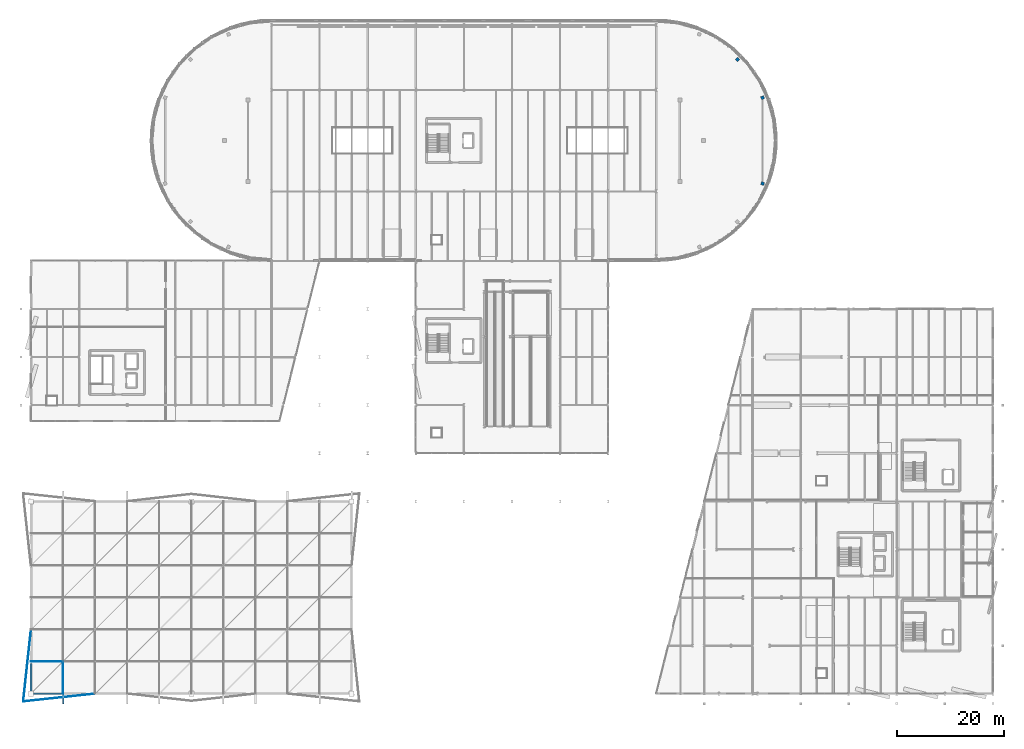
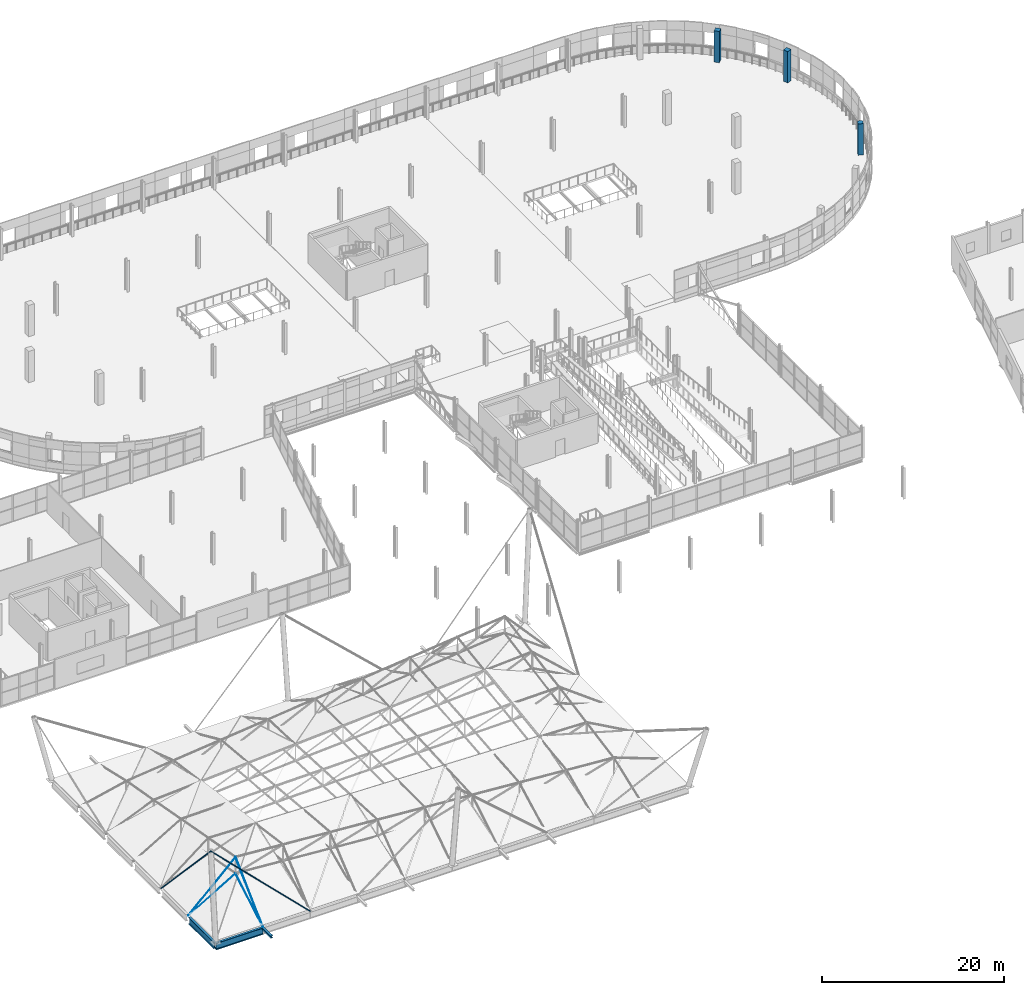
# One storey, part 19 of 132: 6 members, 3 beams, 3 columns.
"""IFC4 building model written with IfcOpenShell, lengths in metres."""

from ifc_helpers import new_model, si_unit, direction, frame, origin, origin_2d, place, context, subcontext, project, spatial, rectangle, circle, i_section, extrude, material, material_profile, profile_set, type_object, element, save


model = new_model("IFC4")

# Units and contexts
model_context = context("Model", 3, precision=1e-05, world=origin(), true_north=direction((0.0, 1.0)))
body_context = subcontext(model_context, "Body", "Model", "MODEL_VIEW")
ifc_project = project(units=[si_unit("LENGTHUNIT", "METRE"), si_unit("AREAUNIT", "SQUARE_METRE"), si_unit("VOLUMEUNIT", "CUBIC_METRE"), si_unit("PLANEANGLEUNIT", "RADIAN"), si_unit("MASSUNIT", "GRAM", prefix="KILO")], contexts=[model_context])

# Site, building, storey
site_placement = place(None, origin())
site = spatial("IfcSite", under=ifc_project, at=site_placement, CompositionType="ELEMENT")
building_placement = place(site_placement, origin())
building = spatial("IfcBuilding", under=site, at=building_placement, Name="Deido Ridge Mobility Hub", CompositionType="ELEMENT")
storey_placement = place(building_placement, frame((0.0, 0.0, 8.39990234375)))
storey = spatial("IfcBuildingStorey", under=building, at=storey_placement, Name="L02", CompositionType="ELEMENT", Elevation=8.39990234375)

# Columns
ifc_material_1 = material(Name="Concrete C40/50", Category="concrete")
ifc_material_profile_1 = material_profile(ifc_material_1, rectangle(XDim=0.60009765625, YDim=0.60009765625, at=origin_2d()), Name="RC COL 600x600")
ifc_profile_set_1 = profile_set([ifc_material_profile_1], Name="Concrete C40/50")
column_type = type_object("IfcColumnType", Name="COL-RC600", PredefinedType="COLUMN", material=ifc_profile_set_1)
for number, where, z_axis, x_axis, name in (
    (1, (136.88818359375, 95.464599609375, 0.0), (0.0, 0.0, 1.0), (0.927183854567, -0.374606593416, 0.0), "Structural column RC2"),
    (2, (136.88818359375, 111.535400390625, 0.0), (0.0, 0.0, 1.0), (0.927183854567, 0.374606593416, 0.0), "Structural column RC2"),
    (3, (132.16748046875, 118.66748046875, 0.0), (0.0, 0.0, 1.0), (0.707106781187, 0.707106781187, 0.0), "Structural column RC2"),
):
    element("IfcColumn", number, at=place(storey_placement, frame(where, z_axis=z_axis, x_axis=x_axis)), inside=storey, type_object=column_type, Name=name, PredefinedType="COLUMN", context=body_context, shape_type="SweptSolid", body=[
        extrude(rectangle(XDim=0.60009765625, YDim=0.60009765625, at=origin_2d()), origin(), (0.0, 0.0, 1.0), 4.2001953125),
    ])

# Beams
ifc_material_2 = material(Name="Steel S355J2 EN 10025-2", Category="steel")
ifc_material_profile_2 = material_profile(ifc_material_2, i_section(OverallWidth=0.300048828125, OverallDepth=0.89990234375, WebThickness=0.0185546875, FlangeThickness=0.034912109375, FilletRadius=0.027099609375, at=origin_2d()), Name="HEB 900")
ifc_profile_set_2 = profile_set([ifc_material_profile_2], Name="Steel S355J2 EN 10025-2")
beam_type_1 = type_object("IfcBeamType", Name="BM-RING-HEB900", PredefinedType="USERDEFINED", material=ifc_profile_set_2)
beam_1_placement = place(storey_placement, frame((0.014892578125, 0.0, -0.449951171875), z_axis=(1.0, 0.0, 0.0), x_axis=(0.0, 1.0, 0.0)))
element("IfcBeam", 4, at=beam_1_placement, inside=storey, type_object=beam_type_1, Name="Compression ring beam RB1", ObjectType="RING BEAM", PredefinedType="USERDEFINED", context=body_context, shape_type="SweptSolid", body=[
    extrude(i_section(OverallWidth=0.300048828125, OverallDepth=0.89990234375, WebThickness=0.0185546875, FlangeThickness=0.034912109375, FilletRadius=0.027099609375, at=origin_2d()), origin(), (0.0, 0.0, 1.0), 5.97705078125),
])
beam_2_placement = place(storey_placement, frame((0.0, 0.199951171875, -0.449951171875), z_axis=(0.0, 1.0, 0.0), x_axis=(-1.0, 0.0, 0.0)))
element("IfcBeam", 5, at=beam_2_placement, inside=storey, type_object=beam_type_1, Name="Compression ring beam RB1", ObjectType="RING BEAM", PredefinedType="USERDEFINED", context=body_context, shape_type="SweptSolid", body=[
    extrude(i_section(OverallWidth=0.300048828125, OverallDepth=0.89990234375, WebThickness=0.0185546875, FlangeThickness=0.034912109375, FilletRadius=0.027099609375, at=origin_2d()), origin(), (0.0, 0.0, 1.0), 5.5),
])

# Members
ifc_material_3 = material(Name="Steel S460M EN 10025-4", Category="steel")
ifc_material_profile_3 = material_profile(ifc_material_3, circle(Radius=0.030029296875, at=origin_2d()), Name="CABLE D60")
ifc_profile_set_3 = profile_set([ifc_material_profile_3], Name="Steel S460M EN 10025-4")
member_type_1 = type_object("IfcMemberType", Name="MEM-CBL-D60", PredefinedType="USERDEFINED", material=ifc_profile_set_3)
for number, where, z_axis, x_axis, name in (
    (6, (0.0, 6.0, 0.0), (0.860837256378, 0.0, 0.508880357286), (0.0, 1.0, 0.0), "Saddle lower stabilizing cable CB3"),
    (7, (6.0, 0.0, 0.0), (0.0, 0.860837256378, 0.508880357286), (-1.0, 0.0, 0.0), "Saddle transverse valley cable CB3"),
):
    element("IfcMember", number, at=place(storey_placement, frame(where, z_axis=z_axis, x_axis=x_axis)), inside=storey, type_object=member_type_1, Name=name, ObjectType="TENSION CABLE", PredefinedType="USERDEFINED", context=body_context, shape_type="SweptSolid", body=[
        extrude(circle(Radius=0.030029296875, at=origin_2d()), origin(), (0.0, 0.0, 1.0), 6.969970703125),
    ])
ifc_material_profile_4 = material_profile(ifc_material_3, circle(Radius=0.0380859375, at=origin_2d()), Name="CABLE D76")
ifc_profile_set_4 = profile_set([ifc_material_profile_4], Name="Steel S460M EN 10025-4")
member_type_2 = type_object("IfcMemberType", Name="MEM-CBL-D76", PredefinedType="USERDEFINED", material=ifc_profile_set_4)
for number, where, z_axis, x_axis, name in (
    (8, (0.0, 6.0, 0.0), (0.722179010803, 0.0, 0.691706206677), (0.0, 1.0, 0.0), "Saddle upper longitudinal cable CB2"),
    (9, (6.0, 0.0, 0.0), (0.0, 0.722179010803, 0.691706206677), (-1.0, 0.0, 0.0), "Saddle transverse ridge cable CB2"),
):
    element("IfcMember", number, at=place(storey_placement, frame(where, z_axis=z_axis, x_axis=x_axis)), inside=storey, type_object=member_type_2, Name=name, ObjectType="TENSION CABLE", PredefinedType="USERDEFINED", context=body_context, shape_type="SweptSolid", body=[
        extrude(circle(Radius=0.0380859375, at=origin_2d()), origin(), (0.0, 0.0, 1.0), 8.30810546875),
    ])
ifc_material_profile_5 = material_profile(ifc_material_3, circle(Radius=0.047607421875, at=origin_2d()), Name="CABLE D95")
ifc_profile_set_5 = profile_set([ifc_material_profile_5], Name="Steel S460M EN 10025-4")
member_type_3 = type_object("IfcMemberType", Name="MEM-CBL-D95", PredefinedType="USERDEFINED", material=ifc_profile_set_5)
for number, where, z_axis, x_axis, name in (
    (10, (-1.449951171875, -1.449951171875, 13.650146484375), (0.699863571707, 0.075447709288, -0.710280665766), (-0.107182436689, 0.994239370205, 0.0), "Mast M1 stay cable CB1"),
    (11, (-1.449951171875, -1.449951171875, 13.650146484375), (0.075447709288, 0.699863571707, -0.710280665766), (-0.994239370205, 0.107182436689, 0.0), "Mast M1 stay cable CB1"),
):
    element("IfcMember", number, at=place(storey_placement, frame(where, z_axis=z_axis, x_axis=x_axis)), inside=storey, type_object=member_type_3, Name=name, ObjectType="TENSION CABLE", PredefinedType="USERDEFINED", context=body_context, shape_type="SweptSolid", body=[
        extrude(circle(Radius=0.047607421875, at=origin_2d()), origin(), (0.0, 0.0, 1.0), 19.218017578125),
    ])

# Beam
ifc_material_profile_6 = material_profile(ifc_material_2, i_section(OverallWidth=0.300048828125, OverallDepth=0.300048828125, WebThickness=0.010986328125, FlangeThickness=0.01904296875, FilletRadius=0.027099609375, at=origin_2d()), Name="HEB 300")
ifc_profile_set_6 = profile_set([ifc_material_profile_6], Name="Steel S355J2 EN 10025-2")
beam_type_2 = type_object("IfcBeamType", Name="SPD-HEB300", PredefinedType="SPANDREL", material=ifc_profile_set_6)
beam_3_placement = place(storey_placement, frame((6.0, -0.050048828125, -0.14990234375), z_axis=(0.0, -1.0, 0.0), x_axis=(1.0, 0.0, 0.0)))
element("IfcBeam", 12, at=beam_3_placement, inside=storey, type_object=beam_type_2, Name="Exoskeleton outrigger beam SP1", PredefinedType="SPANDREL", context=body_context, shape_type="SweptSolid", body=[
    extrude(i_section(OverallWidth=0.300048828125, OverallDepth=0.300048828125, WebThickness=0.010986328125, FlangeThickness=0.01904296875, FilletRadius=0.027099609375, at=origin_2d()), origin(), (0.0, 0.0, 1.0), 1.89990234375),
])

save(model, "model.ifc")
